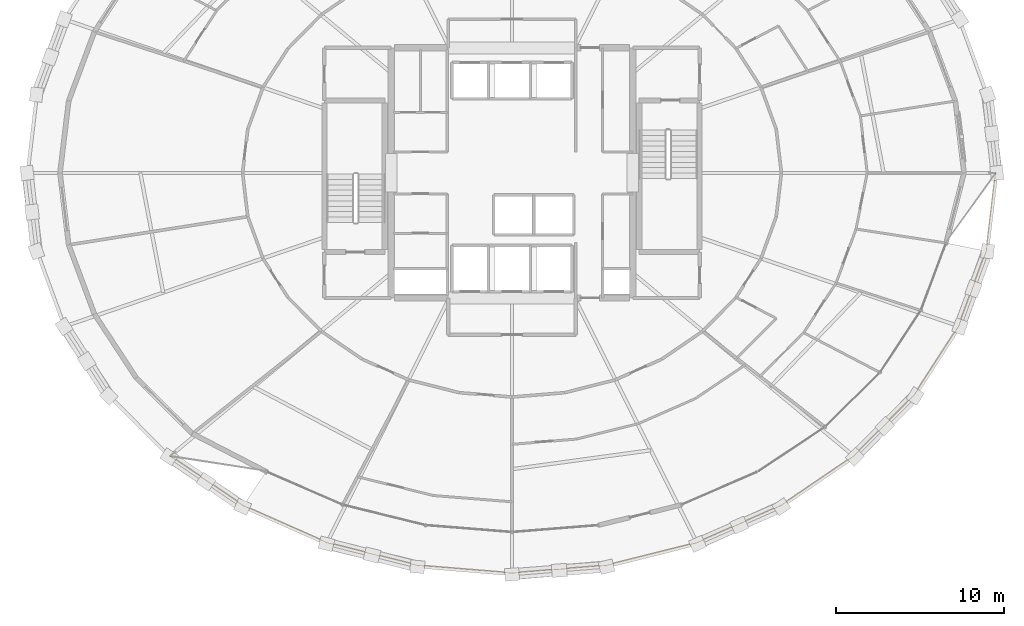
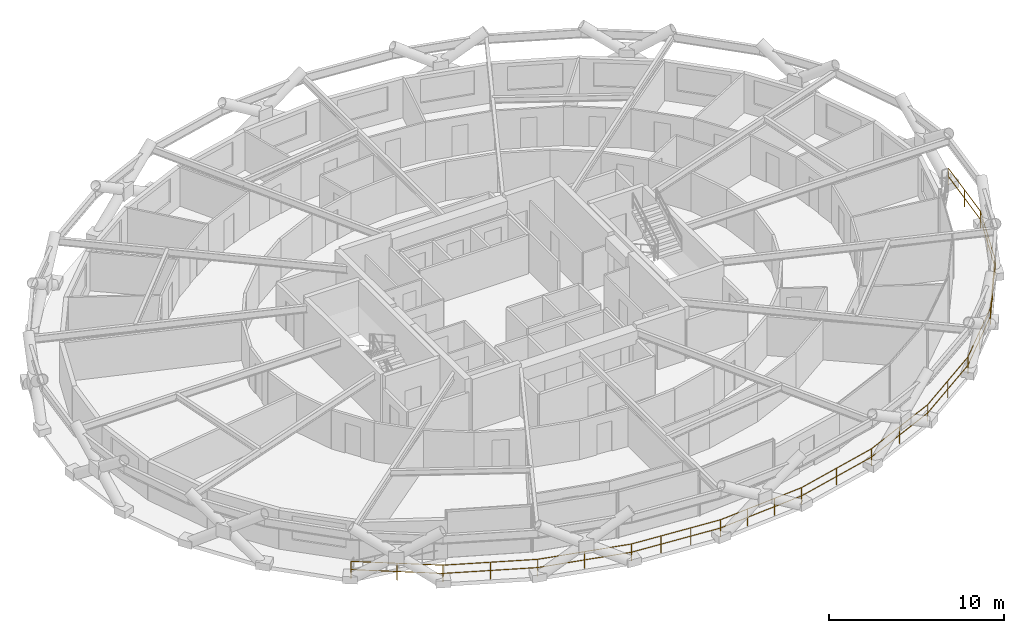
# One storey, part 22 of 23: 1 railing.
"""IFC4 building model written with IfcOpenShell, lengths in metres."""

from ifc_helpers import new_model, si_unit, direction, frame, origin, origin_2d, place, context, subcontext, project, spatial, circle, extrude, material, type_object, element, save


model = new_model("IFC4")

# Units and contexts
model_context = context("Model", 3, precision=1e-05, world=origin(), true_north=direction((0.0, 1.0)))
body_context = subcontext(model_context, "Body", "Model", "MODEL_VIEW")
ifc_project = project(units=[si_unit("LENGTHUNIT", "METRE"), si_unit("AREAUNIT", "SQUARE_METRE"), si_unit("VOLUMEUNIT", "CUBIC_METRE"), si_unit("PLANEANGLEUNIT", "RADIAN"), si_unit("MASSUNIT", "GRAM", prefix="KILO")], contexts=[model_context])

# Site, building, storey
site_placement = place(None, origin())
site = spatial("IfcSite", under=ifc_project, at=site_placement, CompositionType="ELEMENT")
building_placement = place(site_placement, origin())
building = spatial("IfcBuilding", under=site, at=building_placement, Name="Veldorina Hangang Commons", CompositionType="ELEMENT")
storey_placement = place(building_placement, frame((0.0, 0.0, 95.199951171875)))
storey = spatial("IfcBuildingStorey", under=building, at=storey_placement, Name="L24", CompositionType="ELEMENT", Elevation=95.199951171875)

# Railing
ifc_material = material(Name="Glass Laminated Safety Balustrade", Category="glass")
railing_type = type_object("IfcRailingType", Name="RL-BAL-LOGGIA", PredefinedType="BALUSTRADE", material=ifc_material)
railing_placement = place(storey_placement, frame((11.6337890625, 7.13525390625, 0.0)))
element("IfcRailing", 1, at=railing_placement, inside=storey, type_object=railing_type, Name="L24 sky-garden loggia outer balustrade", PredefinedType="BALUSTRADE", context=body_context, shape_type="SweptSolid", body=[
    extrude(circle(Radius=0.02392578125, at=origin_2d()), frame((0.0, 0.0, 1.17578125), z_axis=(0.82741665801, -0.561588527346, 0.0), x_axis=(0.561588527346, 0.82741665801, 0.0)), (0.0, 0.0, 1.0), 5.277099609375),
    extrude(circle(Radius=0.02392578125, at=origin_2d()), frame((0.0, 0.0, 0.60009765625), z_axis=(0.82741665801, -0.561588527346, 0.0), x_axis=(0.561588527346, 0.82741665801, 0.0)), (0.0, 0.0, 1.0), 5.277099609375),
    extrude(circle(Radius=0.02392578125, at=origin_2d()), frame((4.366455078125, -2.963623046875, 1.17578125), z_axis=(0.914628773339, -0.404294703132, 0.0), x_axis=(0.404294703132, 0.914628773339, 0.0)), (0.0, 0.0, 1.0), 5.445068359375),
    extrude(circle(Radius=0.02392578125, at=origin_2d()), frame((4.366455078125, -2.963623046875, 0.60009765625), z_axis=(0.914628773339, -0.404294703132, 0.0), x_axis=(0.404294703132, 0.914628773339, 0.0)), (0.0, 0.0, 1.0), 5.445068359375),
    extrude(circle(Radius=0.02392578125, at=origin_2d()), frame((9.3466796875, -5.1650390625, 1.17578125), z_axis=(0.969946222251, -0.243319390804, 0.0), x_axis=(0.243319390804, 0.969946222251, 0.0)), (0.0, 0.0, 1.0), 5.56982421875),
    extrude(circle(Radius=0.02392578125, at=origin_2d()), frame((9.3466796875, -5.1650390625, 0.60009765625), z_axis=(0.969946222251, -0.243319390804, 0.0), x_axis=(0.243319390804, 0.969946222251, 0.0)), (0.0, 0.0, 1.0), 5.56982421875),
    extrude(circle(Radius=0.02392578125, at=origin_2d()), frame((14.7490234375, -6.520263671875, 1.17578125), z_axis=(0.996702872101, -0.081138059781, 0.0), x_axis=(0.081138059781, 0.996702872101, 0.0)), (0.0, 0.0, 1.0), 5.6357421875),
    extrude(circle(Radius=0.02392578125, at=origin_2d()), frame((14.7490234375, -6.520263671875, 0.60009765625), z_axis=(0.996702872101, -0.081138059781, 0.0), x_axis=(0.081138059781, 0.996702872101, 0.0)), (0.0, 0.0, 1.0), 5.6357421875),
    extrude(circle(Radius=0.02392578125, at=origin_2d()), frame((20.3662109375, -6.9775390625, 1.17578125), z_axis=(0.996702872101, 0.081138059781, 0.0), x_axis=(-0.081138059781, 0.996702872101, 0.0)), (0.0, 0.0, 1.0), 5.6357421875),
    extrude(circle(Radius=0.02392578125, at=origin_2d()), frame((20.3662109375, -6.9775390625, 0.60009765625), z_axis=(0.996702872101, 0.081138059781, 0.0), x_axis=(-0.081138059781, 0.996702872101, 0.0)), (0.0, 0.0, 1.0), 5.6357421875),
    extrude(circle(Radius=0.02392578125, at=origin_2d()), frame((25.9833984375, -6.520263671875, 1.17578125), z_axis=(0.969946222251, 0.243319390804, 0.0), x_axis=(-0.243319390804, 0.969946222251, 0.0)), (0.0, 0.0, 1.0), 5.56982421875),
    extrude(circle(Radius=0.02392578125, at=origin_2d()), frame((25.9833984375, -6.520263671875, 0.60009765625), z_axis=(0.969946222251, 0.243319390804, 0.0), x_axis=(-0.243319390804, 0.969946222251, 0.0)), (0.0, 0.0, 1.0), 5.56982421875),
    extrude(circle(Radius=0.02392578125, at=origin_2d()), frame((31.3857421875, -5.1650390625, 1.17578125), z_axis=(0.914628773339, 0.404294703132, 0.0), x_axis=(-0.404294703132, 0.914628773339, 0.0)), (0.0, 0.0, 1.0), 5.445068359375),
    extrude(circle(Radius=0.02392578125, at=origin_2d()), frame((31.3857421875, -5.1650390625, 0.60009765625), z_axis=(0.914628773339, 0.404294703132, 0.0), x_axis=(-0.404294703132, 0.914628773339, 0.0)), (0.0, 0.0, 1.0), 5.445068359375),
    extrude(circle(Radius=0.02392578125, at=origin_2d()), frame((36.365966796875, -2.963623046875, 1.17578125), z_axis=(0.82741665801, 0.561588527346, 0.0), x_axis=(-0.561588527346, 0.82741665801, 0.0)), (0.0, 0.0, 1.0), 5.277099609375),
    extrude(circle(Radius=0.02392578125, at=origin_2d()), frame((36.365966796875, -2.963623046875, 0.60009765625), z_axis=(0.82741665801, 0.561588527346, 0.0), x_axis=(-0.561588527346, 0.82741665801, 0.0)), (0.0, 0.0, 1.0), 5.277099609375),
    extrude(circle(Radius=0.02392578125, at=origin_2d()), frame((40.732421875, 0.0, 1.17578125), z_axis=(0.704294778829, 0.709907645059, 0.0), x_axis=(-0.709907645059, 0.704294778829, 0.0)), (0.0, 0.0, 1.0), 5.089111328125),
    extrude(circle(Radius=0.02392578125, at=origin_2d()), frame((40.732421875, 0.0, 0.60009765625), z_axis=(0.704294778829, 0.709907645059, 0.0), x_axis=(-0.709907645059, 0.704294778829, 0.0)), (0.0, 0.0, 1.0), 5.089111328125),
    extrude(circle(Radius=0.02392578125, at=origin_2d()), frame((44.316650390625, 3.61279296875, 1.17578125), z_axis=(0.542648991667, 0.8399595656, 0.0), x_axis=(-0.8399595656, 0.542648991667, 0.0)), (0.0, 0.0, 1.0), 4.908935546875),
    extrude(circle(Radius=0.02392578125, at=origin_2d()), frame((44.316650390625, 3.61279296875, 0.60009765625), z_axis=(0.542648991667, 0.8399595656, 0.0), x_axis=(-0.8399595656, 0.542648991667, 0.0)), (0.0, 0.0, 1.0), 4.908935546875),
    extrude(circle(Radius=0.02392578125, at=origin_2d()), frame((46.98046875, 7.736083984375, 1.17578125), z_axis=(0.344287762505, 0.938864173664, 0.0), x_axis=(-0.938864173664, 0.344287762505, 0.0)), (0.0, 0.0, 1.0), 4.765869140625),
    extrude(circle(Radius=0.02392578125, at=origin_2d()), frame((46.98046875, 7.736083984375, 0.60009765625), z_axis=(0.344287762505, 0.938864173664, 0.0), x_axis=(-0.938864173664, 0.344287762505, 0.0)), (0.0, 0.0, 1.0), 4.765869140625),
    extrude(circle(Radius=0.02392578125, at=origin_2d()), frame((48.621337890625, 12.210693359375, 1.17578125), z_axis=(0.118192100365, 0.992990748905, 0.0), x_axis=(-0.992990748905, 0.118192100365, 0.0)), (0.0, 0.0, 1.0), 4.68701171875),
    extrude(circle(Radius=0.02392578125, at=origin_2d()), frame((48.621337890625, 12.210693359375, 0.60009765625), z_axis=(0.118192100365, 0.992990748905, 0.0), x_axis=(-0.992990748905, 0.118192100365, 0.0)), (0.0, 0.0, 1.0), 4.68701171875),
    extrude(circle(Radius=0.02099609375, at=origin_2d()), origin(), (0.0, 0.0, 1.0), 1.15185546875),
    extrude(circle(Radius=0.02099609375, at=origin_2d()), frame((2.18310546875, -1.48193359375, 0.0)), (0.0, 0.0, 1.0), 1.15185546875),
    extrude(circle(Radius=0.02099609375, at=origin_2d()), frame((4.366455078125, -2.963623046875, 0.0)), (0.0, 0.0, 1.0), 1.15185546875),
    extrude(circle(Radius=0.02099609375, at=origin_2d()), frame((6.8564453125, -4.064453125, 0.0)), (0.0, 0.0, 1.0), 1.15185546875),
    extrude(circle(Radius=0.02099609375, at=origin_2d()), frame((9.3466796875, -5.1650390625, 0.0)), (0.0, 0.0, 1.0), 1.15185546875),
    extrude(circle(Radius=0.02099609375, at=origin_2d()), frame((12.0478515625, -5.8427734375, 0.0)), (0.0, 0.0, 1.0), 1.15185546875),
    extrude(circle(Radius=0.02099609375, at=origin_2d()), frame((14.7490234375, -6.520263671875, 0.0)), (0.0, 0.0, 1.0), 1.15185546875),
    extrude(circle(Radius=0.02099609375, at=origin_2d()), frame((16.621337890625, -6.672607421875, 0.0)), (0.0, 0.0, 1.0), 1.15185546875),
    extrude(circle(Radius=0.02099609375, at=origin_2d()), frame((18.493896484375, -6.8251953125, 0.0)), (0.0, 0.0, 1.0), 1.15185546875),
    extrude(circle(Radius=0.02099609375, at=origin_2d()), frame((20.3662109375, -6.9775390625, 0.0)), (0.0, 0.0, 1.0), 1.15185546875),
    extrude(circle(Radius=0.02099609375, at=origin_2d()), frame((22.238525390625, -6.8251953125, 0.0)), (0.0, 0.0, 1.0), 1.15185546875),
    extrude(circle(Radius=0.02099609375, at=origin_2d()), frame((24.111083984375, -6.672607421875, 0.0)), (0.0, 0.0, 1.0), 1.15185546875),
    extrude(circle(Radius=0.02099609375, at=origin_2d()), frame((25.9833984375, -6.520263671875, 0.0)), (0.0, 0.0, 1.0), 1.15185546875),
    extrude(circle(Radius=0.02099609375, at=origin_2d()), frame((28.6845703125, -5.8427734375, 0.0)), (0.0, 0.0, 1.0), 1.15185546875),
    extrude(circle(Radius=0.02099609375, at=origin_2d()), frame((31.3857421875, -5.1650390625, 0.0)), (0.0, 0.0, 1.0), 1.15185546875),
    extrude(circle(Radius=0.02099609375, at=origin_2d()), frame((33.8759765625, -4.064453125, 0.0)), (0.0, 0.0, 1.0), 1.15185546875),
    extrude(circle(Radius=0.02099609375, at=origin_2d()), frame((36.365966796875, -2.963623046875, 0.0)), (0.0, 0.0, 1.0), 1.15185546875),
    extrude(circle(Radius=0.02099609375, at=origin_2d()), frame((38.54931640625, -1.48193359375, 0.0)), (0.0, 0.0, 1.0), 1.15185546875),
    extrude(circle(Radius=0.02099609375, at=origin_2d()), frame((40.732421875, 0.0, 0.0)), (0.0, 0.0, 1.0), 1.15185546875),
    extrude(circle(Radius=0.02099609375, at=origin_2d()), frame((42.5244140625, 1.806396484375, 0.0)), (0.0, 0.0, 1.0), 1.15185546875),
    extrude(circle(Radius=0.02099609375, at=origin_2d()), frame((44.316650390625, 3.61279296875, 0.0)), (0.0, 0.0, 1.0), 1.15185546875),
    extrude(circle(Radius=0.02099609375, at=origin_2d()), frame((45.6484375, 5.67431640625, 0.0)), (0.0, 0.0, 1.0), 1.15185546875),
    extrude(circle(Radius=0.02099609375, at=origin_2d()), frame((46.98046875, 7.736083984375, 0.0)), (0.0, 0.0, 1.0), 1.15185546875),
    extrude(circle(Radius=0.02099609375, at=origin_2d()), frame((47.80078125, 9.973388671875, 0.0)), (0.0, 0.0, 1.0), 1.15185546875),
    extrude(circle(Radius=0.02099609375, at=origin_2d()), frame((48.621337890625, 12.210693359375, 0.0)), (0.0, 0.0, 1.0), 1.15185546875),
    extrude(circle(Radius=0.02099609375, at=origin_2d()), frame((48.8984375, 14.53759765625, 0.0)), (0.0, 0.0, 1.0), 1.15185546875),
    extrude(circle(Radius=0.02099609375, at=origin_2d()), frame((49.17529296875, 16.86474609375, 0.0)), (0.0, 0.0, 1.0), 1.15185546875),
])

save(model, "model.ifc")
